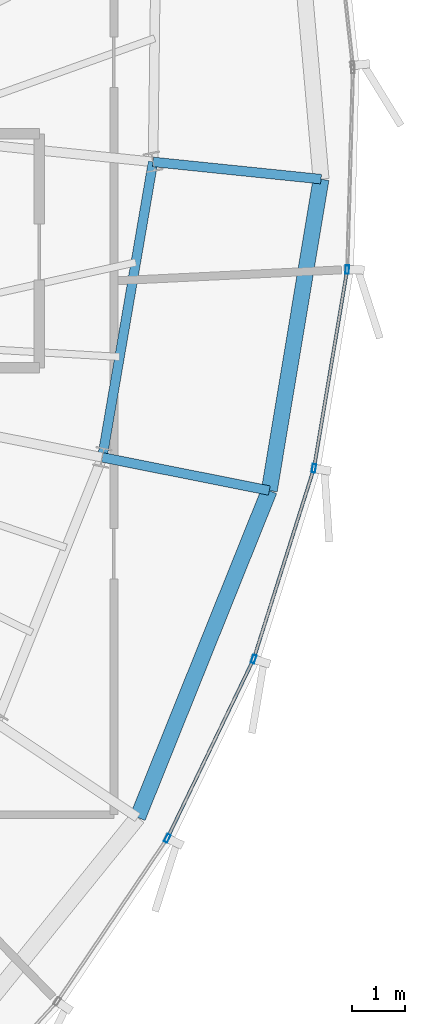
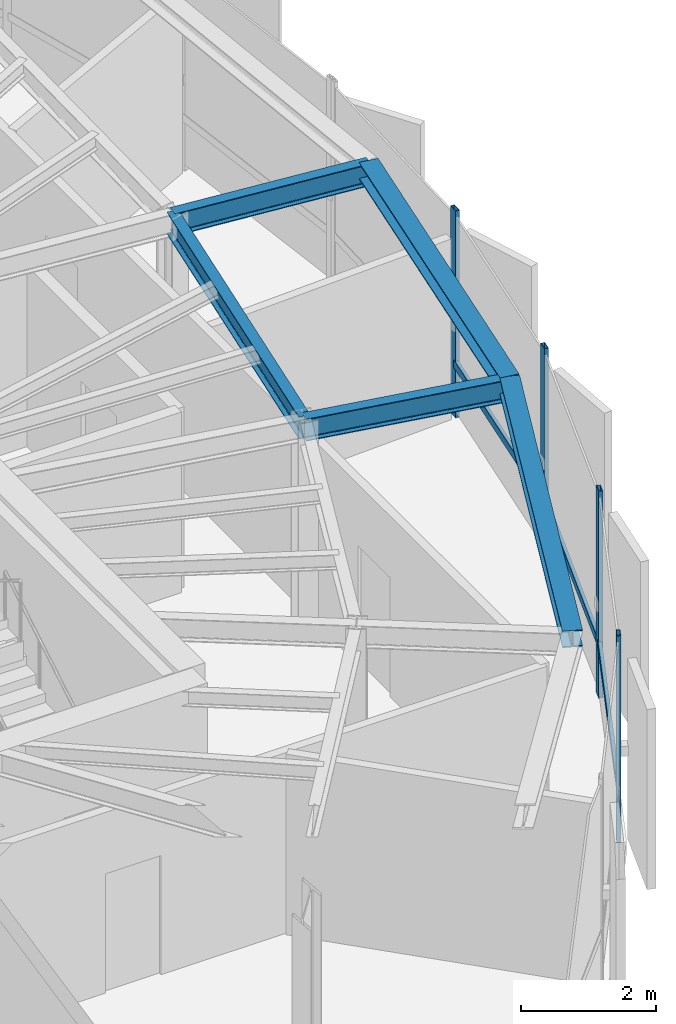
# One storey, part 12 of 27: 7 members, 5 beams, 1 element without a shape of its own.
"""IFC4 building model written with IfcOpenShell, lengths in metres."""

from ifc_helpers import new_model, si_unit, direction, frame, origin, origin_2d, place, context, subcontext, project, spatial, hollow_rectangle, i_section, extrude, source, transform, mapped, material, layer, layer_set, material_profile, profile_set, type_object, element, aggregate, save


model = new_model("IFC4")

# Units and contexts
model_context = context("Model", 3, precision=1e-05, world=origin(), true_north=direction((0.0, 1.0)))
body_context = subcontext(model_context, "Body", "Model", "MODEL_VIEW")
ifc_project = project(units=[si_unit("LENGTHUNIT", "METRE"), si_unit("AREAUNIT", "SQUARE_METRE"), si_unit("VOLUMEUNIT", "CUBIC_METRE"), si_unit("PLANEANGLEUNIT", "RADIAN"), si_unit("MASSUNIT", "GRAM", prefix="KILO"), si_unit("THERMODYNAMICTEMPERATUREUNIT", "KELVIN")], contexts=[model_context])

# Site, building, storey
site_placement = place(None, origin())
site = spatial("IfcSite", under=ifc_project, at=site_placement, CompositionType="ELEMENT")
building_placement = place(site_placement, origin())
building = spatial("IfcBuilding", under=site, at=building_placement, Name="Kethvar Cultural Tower", CompositionType="ELEMENT")
storey_placement = place(building_placement, frame((0.0, 0.0, 308.300048828125)))
storey = spatial("IfcBuildingStorey", under=building, at=storey_placement, Name="L82", CompositionType="ELEMENT", Elevation=308.300048828125)

# Beams
ifc_material_1 = material(Name="Steel S355J2", Category="steel")
ifc_material_profile_1 = material_profile(ifc_material_1, i_section(OverallWidth=0.179931640625, OverallDepth=0.39990234375, WebThickness=0.008544921875, FlangeThickness=0.013427734375, FilletRadius=0.02099609375, at=origin_2d()), Name="Steel S355J2 — IPE400")
ifc_profile_set_1 = profile_set([ifc_material_profile_1], Name="Steel S355J2 — IPE400")
beam_type_1 = type_object("IfcBeamType", Name="BM-IPE400", PredefinedType="BEAM", material=ifc_profile_set_1)
shared_shape_1 = source(origin(), body_context, "Body", "SweptSolid", [
    extrude(i_section(OverallWidth=0.179931640625, OverallDepth=0.39990234375, WebThickness=0.008544921875, FlangeThickness=0.013427734375, FilletRadius=0.02099609375, at=origin_2d()), origin(), (0.0, 0.0, 1.0), 3.199951171875),
])
beam_1_placement = place(storey_placement, frame((60.28369140625, 25.117919921875, 3.532958984375), z_axis=(0.980785550224, -0.195088965533, 0.0), x_axis=(0.195088965533, 0.980785550224, 0.0)))
element("IfcBeam", 1, at=beam_1_placement, inside=storey, type_object=beam_type_1, Name="L82 Perimeter Cantilever Beam RC-16", PredefinedType="BEAM", context=body_context, shape_type="MappedRepresentation", body=[
    mapped(shared_shape_1, transform((0.0, 0.0, 0.0), scale=1.0)),
])
ifc_material_profile_2 = material_profile(ifc_material_1, i_section(OverallWidth=0.300048828125, OverallDepth=0.300048828125, WebThickness=0.010986328125, FlangeThickness=0.01904296875, FilletRadius=0.027099609375, at=origin_2d()), Name="Steel S355J2 — HEB300")
ifc_profile_set_2 = profile_set([ifc_material_profile_2], Name="Steel S355J2 — HEB300")
beam_type_2 = type_object("IfcBeamType", Name="BM-SP300", PredefinedType="SPANDREL", material=ifc_profile_set_2)
shared_shape_2 = source(origin(), body_context, "Body", "SweptSolid", [
    extrude(i_section(OverallWidth=0.300048828125, OverallDepth=0.300048828125, WebThickness=0.010986328125, FlangeThickness=0.01904296875, FilletRadius=0.027099609375, at=origin_2d()), origin(), (0.0, 0.0, 1.0), 6.626220703125),
])
beam_2_placement = place(storey_placement, frame((60.94775390625, 18.3466796875, 3.5830078125), z_axis=(0.373416224197, 0.927663906545, 0.0), x_axis=(-0.927663906545, 0.373416224197, 0.0)))
element("IfcBeam", 2, at=beam_2_placement, inside=storey, type_object=beam_type_2, Name="L82 Perimeter Spandrel Beam SP-15", PredefinedType="SPANDREL", context=body_context, shape_type="MappedRepresentation", body=[
    mapped(shared_shape_2, transform((0.0, 0.0, 0.0), scale=1.0)),
])
shared_shape_3 = source(origin(), body_context, "Body", "SweptSolid", [
    extrude(i_section(OverallWidth=0.179931640625, OverallDepth=0.39990234375, WebThickness=0.008544921875, FlangeThickness=0.013427734375, FilletRadius=0.02099609375, at=origin_2d()), origin(), (0.0, 0.0, 1.0), 5.635009765625),
])
beam_3_placement = place(storey_placement, frame((60.28369140625, 25.117919921875, 3.532958984375), z_axis=(0.169188687614, 0.985583678834, 0.0), x_axis=(-0.985583678834, 0.169188687614, 0.0)))
element("IfcBeam", 3, at=beam_3_placement, inside=storey, type_object=beam_type_1, Name="L82 Column Ring Tie Beam CR-16", PredefinedType="BEAM", context=body_context, shape_type="MappedRepresentation", body=[
    mapped(shared_shape_3, transform((0.0, 0.0, 0.0), scale=1.0)),
])
shared_shape_4 = source(origin(), body_context, "Body", "SweptSolid", [
    extrude(i_section(OverallWidth=0.179931640625, OverallDepth=0.39990234375, WebThickness=0.008544921875, FlangeThickness=0.013427734375, FilletRadius=0.02099609375, at=origin_2d()), origin(), (0.0, 0.0, 1.0), 3.174560546875),
])
beam_4_placement = place(storey_placement, frame((61.237060546875, 30.671630859375, 3.532958984375), z_axis=(0.994778836394, -0.102054233931, 0.0), x_axis=(0.102054233931, 0.994778836394, 0.0)))
element("IfcBeam", 4, at=beam_4_placement, inside=storey, type_object=beam_type_1, Name="L82 Perimeter Cantilever Beam RC-01", PredefinedType="BEAM", context=body_context, shape_type="MappedRepresentation", body=[
    mapped(shared_shape_4, transform((0.0, 0.0, 0.0), scale=1.0)),
])
shared_shape_5 = source(origin(), body_context, "Body", "SweptSolid", [
    extrude(i_section(OverallWidth=0.300048828125, OverallDepth=0.300048828125, WebThickness=0.010986328125, FlangeThickness=0.01904296875, FilletRadius=0.027099609375, at=origin_2d()), origin(), (0.0, 0.0, 1.0), 5.934326171875),
])
beam_5_placement = place(storey_placement, frame((63.422119140625, 24.49365234375, 3.5830078125), z_axis=(0.163945311354, 0.98646942927, 0.0), x_axis=(-0.98646942927, 0.163945311354, 0.0)))
element("IfcBeam", 5, at=beam_5_placement, inside=storey, type_object=beam_type_2, Name="L82 Perimeter Spandrel Beam SP-16", PredefinedType="SPANDREL", context=body_context, shape_type="MappedRepresentation", body=[
    mapped(shared_shape_5, transform((0.0, 0.0, 0.0), scale=1.0)),
])

# Curtain wall, members
ifc_material_2 = material(Name="Aluminium 6063-T6", Category="aluminium")
ifc_layer = layer(ifc_material_2, 0.179931640625, Name="Aluminium 6063-T6", Category="aluminium")
ifc_layer_set = layer_set([ifc_layer], Name="Aluminium 6063-T6 (180 mm)")
curtain_wall_type = type_object("IfcCurtainWallType", Name="CW-SYS-06-CROWN", PredefinedType="NOTDEFINED", material=ifc_layer_set)
curtain_wall_placement = place(storey_placement, origin())
curtain_wall = element("IfcCurtainWall", 6, at=curtain_wall_placement, inside=storey, type_object=curtain_wall_type, Name="L82 Curtain Wall Run 05", PredefinedType="NOTDEFINED")
ifc_material_profile_3 = material_profile(ifc_material_2, hollow_rectangle(XDim=0.06494140625, YDim=0.159912109375, WallThickness=0.0048828125, at=origin_2d()), Name="Aluminium 6063-T6 — RHS160x65x5")
ifc_profile_set_3 = profile_set([ifc_material_profile_3], Name="Aluminium 6063-T6 — RHS160x65x5")
member_type_1 = type_object("IfcMemberType", Name="CW-SYS-06-CROWN-MUL", PredefinedType="MULLION", material=ifc_profile_set_3)
shared_shape_6 = source(origin(), body_context, "Body", "SweptSolid", [
    extrude(hollow_rectangle(XDim=0.06494140625, YDim=0.159912109375, WallThickness=0.0048828125, at=origin_2d()), origin(), (0.0, 0.0, 1.0), 3.73486328125),
])
member_1_placement = place(storey_placement, frame((61.506103515625, 17.95751953125, 0.0), z_axis=(0.0, 0.0, 1.0), x_axis=(-0.901061883215, 0.433690537845, 0.0)))
member_1 = element("IfcMember", 7, at=member_1_placement, type_object=member_type_1, Name="CW-L82-R05 Mullion 3", PredefinedType="MULLION", context=body_context, shape_type="MappedRepresentation", body=[
    mapped(shared_shape_6, transform((0.0, 0.0, 0.0), scale=1.0)),
])
member_2_placement = place(storey_placement, frame((63.128662109375, 21.32568359375, 0.0), z_axis=(0.0, 0.0, 1.0), x_axis=(-0.953617180492, 0.301022047482, 0.0)))
member_2 = element("IfcMember", 8, at=member_2_placement, type_object=member_type_1, Name="CW-L82-R05 Mullion 4", PredefinedType="MULLION", context=body_context, shape_type="MappedRepresentation", body=[
    mapped(shared_shape_6, transform((0.0, 0.0, 0.0), scale=1.0)),
])
member_3_placement = place(storey_placement, frame((64.26123046875, 24.91015625, 0.0), z_axis=(0.0, 0.0, 1.0), x_axis=(-0.986285601537, 0.165047605861, 0.0)))
member_3 = element("IfcMember", 9, at=member_3_placement, type_object=member_type_1, Name="CW-L82-R05 Mullion 5", PredefinedType="MULLION", context=body_context, shape_type="MappedRepresentation", body=[
    mapped(shared_shape_6, transform((0.0, 0.0, 0.0), scale=1.0)),
])
member_4_placement = place(storey_placement, frame((64.887939453125, 28.647705078125, 0.0), z_axis=(0.0, 0.0, 1.0), x_axis=(-0.99960522657, 0.028096103175, 0.0)))
member_4 = element("IfcMember", 10, at=member_4_placement, type_object=member_type_1, Name="CW-L82-R05 Mullion 6", PredefinedType="MULLION", context=body_context, shape_type="MappedRepresentation", body=[
    mapped(shared_shape_6, transform((0.0, 0.0, 0.0), scale=1.0)),
])
ifc_material_profile_4 = material_profile(ifc_material_2, hollow_rectangle(XDim=0.06005859375, YDim=0.139892578125, WallThickness=0.0048828125, at=origin_2d()), Name="Aluminium 6063-T6 — RHS140x60x5")
ifc_profile_set_4 = profile_set([ifc_material_profile_4], Name="Aluminium 6063-T6 — RHS140x60x5")
member_type_2 = type_object("IfcMemberType", Name="CW-SYS-06-CROWN-TRN", PredefinedType="USERDEFINED", material=ifc_profile_set_4)
shared_shape_7 = source(origin(), body_context, "Body", "SweptSolid", [
    extrude(hollow_rectangle(XDim=0.06005859375, YDim=0.139892578125, WallThickness=0.0048828125, at=origin_2d()), origin(), (0.0, 0.0, 1.0), 3.712646484375),
])
member_5_placement = place(storey_placement, frame((64.26904296875, 24.956298828125, 0.949951171875), z_axis=(0.165060115043, 0.986283508136, 0.0), x_axis=(-0.986283508136, 0.165060115043, 0.0)))
member_5 = element("IfcMember", 11, at=member_5_placement, type_object=member_type_2, Name="CW-L82-R05 Transom 5", ObjectType="TRANSOM", PredefinedType="USERDEFINED", context=body_context, shape_type="MappedRepresentation", body=[
    mapped(shared_shape_7, transform((0.0, 0.0, 0.0), scale=1.0)),
])
shared_shape_8 = source(origin(), body_context, "Body", "SweptSolid", [
    extrude(hollow_rectangle(XDim=0.06005859375, YDim=0.139892578125, WallThickness=0.0048828125, at=origin_2d()), origin(), (0.0, 0.0, 1.0), 3.68212890625),
])
member_6_placement = place(storey_placement, frame((63.142822265625, 21.37060546875, 0.949951171875), z_axis=(0.301029819314, 0.953614727174, 0.0), x_axis=(-0.953614727174, 0.301029819314, 0.0)))
member_6 = element("IfcMember", 12, at=member_6_placement, type_object=member_type_2, Name="CW-L82-R05 Transom 4", ObjectType="TRANSOM", PredefinedType="USERDEFINED", context=body_context, shape_type="MappedRepresentation", body=[
    mapped(shared_shape_8, transform((0.0, 0.0, 0.0), scale=1.0)),
])
shared_shape_9 = source(origin(), body_context, "Body", "SweptSolid", [
    extrude(hollow_rectangle(XDim=0.06005859375, YDim=0.139892578125, WallThickness=0.0048828125, at=origin_2d()), origin(), (0.0, 0.0, 1.0), 3.662109375),
])
member_7_placement = place(storey_placement, frame((61.526611328125, 17.999755859375, 0.949951171875), z_axis=(0.433669287001, 0.901072111161, 0.0), x_axis=(-0.901072111161, 0.433669287001, 0.0)))
member_7 = element("IfcMember", 13, at=member_7_placement, type_object=member_type_2, Name="CW-L82-R05 Transom 3", ObjectType="TRANSOM", PredefinedType="USERDEFINED", context=body_context, shape_type="MappedRepresentation", body=[
    mapped(shared_shape_9, transform((0.0, 0.0, 0.0), scale=1.0)),
])
aggregate(curtain_wall, [member_1, member_2, member_3, member_4, member_7, member_6, member_5])

save(model, "model.ifc")
